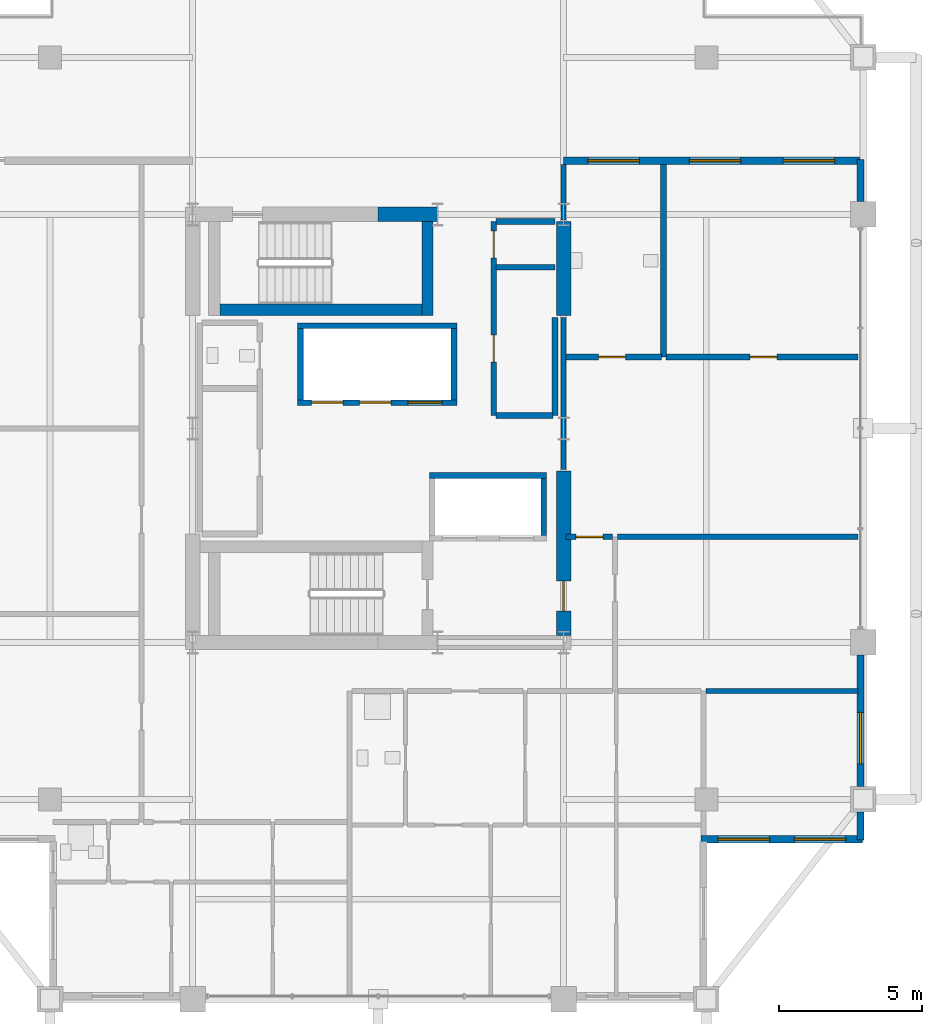
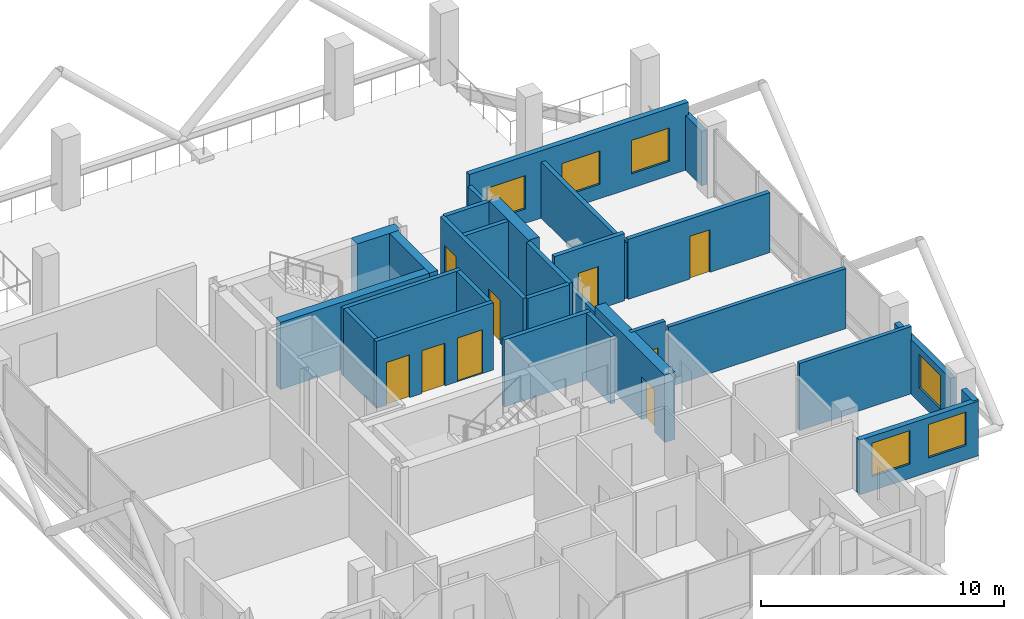
# One storey, part 17 of 21: 29 walls, 9 doors, 6 windows, 15 openings.
"""IFC4 building model written with IfcOpenShell, lengths in metres."""

import ifcopenshell
import ifcopenshell.guid

model = None  # the IFC model being written
_history = None  # IfcOwnerHistory: only IFC2X3 demands one
_inside = {}  # id of a spatial element -> (the spatial element, [elements in it])
_under = {}  # id of a project, library or spatial element -> (it, [spatial elements below it])
_declared = {}  # id of a project -> (the project, [libraries it declares])
_typed = {}  # id of a type object -> (the type object, [elements of that type])
_made_of = {}  # id of a material, layer set ... -> (it, [elements and type objects made of it])


def new_model(schema):
    """Start an empty IFC model of exactly this schema.

    Asked for "IFC4X3", IfcOpenShell would pick the latest addendum, in which some entities
    have other attributes; the version numbers below select the first issue.
    IFC2X3 requires an IfcOwnerHistory on every rooted entity: one is made here for all.
    """
    global model, _history
    if schema == "IFC4X3":
        model = ifcopenshell.file(schema_version=(4, 3, 0, 0))
    else:
        model = ifcopenshell.file(schema=schema)
    _inside.clear()
    _under.clear()
    _declared.clear()
    _typed.clear()
    _made_of.clear()
    _history = None
    if model.schema == "IFC2X3":
        org = make("IfcOrganization", Name="unknown")
        user = make(
            "IfcPersonAndOrganization",
            ThePerson=make("IfcPerson", FamilyName="unknown"),
            TheOrganization=org,
        )
        app = make(
            "IfcApplication",
            ApplicationDeveloper=org,
            Version="unknown",
            ApplicationFullName="unknown",
            ApplicationIdentifier="unknown",
        )
        _history = make(
            "IfcOwnerHistory",
            OwningUser=user,
            OwningApplication=app,
            ChangeAction="ADDED",
            CreationDate=0,
        )
    return model


def make(cls, **values):
    """One entity of the class cls with the attributes given. An attribute that is None is left unset."""
    return model.create_entity(
        cls, **{name: value for name, value in values.items() if value is not None}
    )


def rooted(cls, **values):
    """An entity with a GlobalId (a new one), such as an element, a storey or a relation."""
    return make(cls, GlobalId=ifcopenshell.guid.new(), OwnerHistory=_history, **values)


def si_unit(unit_type, name, prefix=None):
    """IfcSIUnit, for example si_unit("LENGTHUNIT", "METRE", prefix="MILLI")."""
    return make("IfcSIUnit", UnitType=unit_type, Prefix=prefix, Name=name)


def assignment(units):
    """IfcUnitAssignment: the units of a project."""
    return None if units is None else make("IfcUnitAssignment", Units=units)


def point(xyz):
    """IfcCartesianPoint."""
    return None if xyz is None else make("IfcCartesianPoint", Coordinates=xyz)


def direction(xyz):
    """IfcDirection."""
    return None if xyz is None else make("IfcDirection", DirectionRatios=xyz)


def frame(location, z_axis=None, x_axis=None):
    """IfcAxis2Placement3D, a coordinate frame: its origin and axes. An axis left out is left unset."""
    return make(
        "IfcAxis2Placement3D",
        Location=point(location),
        Axis=direction(z_axis),
        RefDirection=direction(x_axis),
    )


def frame_2d(location, x_axis=None):
    """IfcAxis2Placement2D, a coordinate frame in the plane: its origin and x axis."""
    return make(
        "IfcAxis2Placement2D", Location=point(location), RefDirection=direction(x_axis)
    )


def origin():
    """The frame at (0, 0, 0) with its axes left unset."""
    return frame((0.0, 0.0, 0.0))


def place(relative_to, where):
    """IfcLocalPlacement: puts the frame where relative to a parent placement (None: the world)."""
    return make(
        "IfcLocalPlacement", PlacementRelTo=relative_to, RelativePlacement=where
    )


def context(
    kind, dimensions, precision=None, world=None, true_north=None, identifier=None
):
    """IfcGeometricRepresentationContext, for example the 3D "Model" context."""
    return make(
        "IfcGeometricRepresentationContext",
        ContextIdentifier=identifier,
        ContextType=kind,
        CoordinateSpaceDimension=dimensions,
        Precision=precision,
        WorldCoordinateSystem=world,
        TrueNorth=true_north,
    )


def subcontext(parent, identifier, kind, view, scale=None):
    """IfcGeometricRepresentationSubContext, for example "Body" below "Model"."""
    return make(
        "IfcGeometricRepresentationSubContext",
        ContextIdentifier=identifier,
        ContextType=kind,
        ParentContext=parent,
        TargetScale=scale,
        TargetView=view,
    )


def project(units=None, contexts=None):
    """IfcProject with its units and contexts."""
    return rooted(
        "IfcProject",
        Name="project",
        RepresentationContexts=contexts,
        UnitsInContext=assignment(units),
    )


def spatial(cls, under=None, at=None, **own):
    """A site, building, storey or space (cls), placed at a placement, below another one or the project."""
    s = rooted(cls, ObjectPlacement=at, **own)
    if under is not None:
        _under.setdefault(under.id(), (under, []))[1].append(s)
    return s


def profile(cls, at=None, kind="AREA", **sizes):
    """A parametric profile (cls). Its sizes go by their IFC names, for example OverallWidth=200.0."""
    return make(cls, ProfileType=kind, Position=at, **sizes)


def rectangle(**sizes):
    """IfcRectangleProfileDef."""
    return profile("IfcRectangleProfileDef", **sizes)


def extrude(swept, where, along, depth):
    """IfcExtrudedAreaSolid: the profile swept, set in the frame where, extruded along a direction by depth."""
    return make(
        "IfcExtrudedAreaSolid",
        SweptArea=swept,
        Position=where,
        ExtrudedDirection=direction(along),
        Depth=depth,
    )


def shape(context_of_items, identifier, shape_type, items):
    """IfcShapeRepresentation: the items that make up one representation, for example the "Body"."""
    return make(
        "IfcShapeRepresentation",
        ContextOfItems=context_of_items,
        RepresentationIdentifier=identifier,
        RepresentationType=shape_type,
        Items=items,
    )


def material(Name=None, Category=None):
    """IfcMaterial."""
    return make("IfcMaterial", Name=Name, Category=Category)


def layer(
    of_material, thickness, ventilated=None, Name=None, Category=None, Priority=None
):
    """IfcMaterialLayer: one layer of a wall or slab, of a material (None: an air gap)."""
    return make(
        "IfcMaterialLayer",
        Material=of_material,
        LayerThickness=thickness,
        IsVentilated=ventilated,
        Name=Name,
        Category=Category,
        Priority=Priority,
    )


def layer_set(layers, Name=None):
    """IfcMaterialLayerSet."""
    return make("IfcMaterialLayerSet", MaterialLayers=layers, LayerSetName=Name)


def made_of(thing, what):
    """Note that an element or type object is made of a material, layer set ...; save() writes the relation."""
    if what is not None:
        _made_of.setdefault(what.id(), (what, []))[1].append(thing)
    return thing


def type_object(cls, material=None, **own):
    """A type object (cls), such as IfcWallType, which elements share."""
    return made_of(rooted(cls, **own), material)


def element(
    cls,
    number,
    at=None,
    inside=None,
    cuts=None,
    type_object=None,
    material=None,
    context=None,
    identifier="Body",
    shape_type=None,
    held_by="IfcProductDefinitionShape",
    body=None,
    shapes=None,
    **own,
):
    """One element of the class cls, such as IfcWall. Its Tag is "e" and its number.

    at: its placement. inside: the storey or other place that contains it. cuts: it is an
    opening in that element (IfcRelVoidsElement). A single representation is given by context,
    identifier, shape_type and body (its items); several are given by shapes. held_by: the class
    of the entity that holds the representations. save() writes the other relations.
    """
    e = rooted(cls, Tag="e%d" % number, ObjectPlacement=at, **own)
    if body is not None:
        shapes = [shape(context, identifier, shape_type, body)]
    if shapes is not None:
        e.Representation = make(held_by, Representations=shapes)
    if inside is not None:
        _inside.setdefault(inside.id(), (inside, []))[1].append(e)
    if cuts is not None:
        rooted(
            "IfcRelVoidsElement", RelatingBuildingElement=cuts, RelatedOpeningElement=e
        )
    if type_object is not None:
        _typed.setdefault(type_object.id(), (type_object, []))[1].append(e)
    return made_of(e, material)


def fill(opening, filler):
    """IfcRelFillsElement: the door or window that sits in an opening."""
    return rooted(
        "IfcRelFillsElement",
        RelatingOpeningElement=opening,
        RelatedBuildingElement=filler,
    )


def aggregate(whole, parts):
    """IfcRelAggregates: a whole, such as a stair, and the parts it consists of."""
    return rooted("IfcRelAggregates", RelatingObject=whole, RelatedObjects=parts)


def save(model, path):
    """Write the relations noted so far, then the file.

    IfcRelAggregates (storeys below a building ...), IfcRelContainedInSpatialStructure (elements
    in a storey), IfcRelDefinesByType, IfcRelAssociatesMaterial and IfcRelDeclares: one each for
    every whole, place, type object, material and project.
    """
    for whole, parts in _under.values():
        aggregate(whole, parts)
    for where, things in _inside.values():
        rooted(
            "IfcRelContainedInSpatialStructure",
            RelatedElements=things,
            RelatingStructure=where,
        )
    for kind, things in _typed.values():
        rooted("IfcRelDefinesByType", RelatedObjects=things, RelatingType=kind)
    for what, things in _made_of.values():
        rooted("IfcRelAssociatesMaterial", RelatedObjects=things, RelatingMaterial=what)
    for by, libraries in _declared.values():
        rooted("IfcRelDeclares", RelatingContext=by, RelatedDefinitions=libraries)
    model.write(path)


model = new_model("IFC4")

# Units and contexts
model_context = context("Model", 3, precision=1e-05, world=origin(), true_north=direction((0.0, 1.0)))
body_context = subcontext(model_context, "Body", "Model", "MODEL_VIEW")
ifc_project = project(units=[si_unit("LENGTHUNIT", "METRE"), si_unit("AREAUNIT", "SQUARE_METRE"), si_unit("VOLUMEUNIT", "CUBIC_METRE"), si_unit("PLANEANGLEUNIT", "RADIAN"), si_unit("MASSUNIT", "GRAM", prefix="KILO")], contexts=[model_context])

# Site, building, storey
site_placement = place(None, origin())
site = spatial("IfcSite", under=ifc_project, at=site_placement, CompositionType="ELEMENT")
building_placement = place(site_placement, origin())
building = spatial("IfcBuilding", under=site, at=building_placement, Name="Barlavira Tower and Art Museum", CompositionType="ELEMENT")
storey_placement = place(building_placement, frame((0.0, 0.0, 261.89990234375)))
storey = spatial("IfcBuildingStorey", under=building, at=storey_placement, Name="L68", CompositionType="ELEMENT", Elevation=261.89990234375)

# Wall
ifc_material_1 = material(Name="Concrete C60", Category="concrete")
ifc_layer_1 = layer(ifc_material_1, 0.5, Name="Concrete C60")
ifc_layer_set_1 = layer_set([ifc_layer_1], Name="Concrete C60")
wall_type_1 = type_object("IfcWallType", Name="Core Structural Shear Wall 500 Concrete C60", PredefinedType="SHEAR", material=ifc_layer_set_1)
wall_1_placement = place(storey_placement, frame((0.0, 7.5, 0.0), z_axis=(0.0, 0.0, 1.0), x_axis=(1.0, 0.0, 0.0)))
element("IfcWall", 1, at=wall_1_placement, inside=storey, type_object=wall_type_1, Name="L68 Core Shear Wall CS-EN", PredefinedType="SHEAR", context=body_context, shape_type="SweptSolid", body=[
    extrude(rectangle(XDim=2.080078125, YDim=0.5, at=frame_2d((1.0400390625, 0.0))), origin(), (0.0, 0.0, 1.0), 3.380126953125),
])

# Wall, opening, door
wall_2_placement = place(storey_placement, frame((6.5, -7.25, 0.0), z_axis=(0.0, 0.0, 1.0), x_axis=(0.0, 1.0, 0.0)))
wall_2 = element("IfcWall", 2, at=wall_2_placement, inside=storey, type_object=wall_type_1, Name="L68 Core Shear Wall CS-E1", PredefinedType="SHEAR", context=body_context, shape_type="SweptSolid", body=[
    extrude(rectangle(XDim=5.75, YDim=0.5, at=frame_2d((2.875, 0.0))), origin(), (0.0, 0.0, 1.0), 3.380126953125),
])
opening_1_placement = place(wall_2_placement, frame((0.85009765625, 0.0, 0.0)))
opening_1 = element("IfcOpeningElement", 3, at=opening_1_placement, cuts=wall_2, Name="Opening FD-90", PredefinedType="OPENING", context=body_context, shape_type="SweptSolid", body=[
    extrude(rectangle(XDim=1.050048828125, YDim=2.14990234375, at=frame_2d((0.52490234375, 1.074951171875))), frame((0.0, 0.260009765625, 0.0), z_axis=(0.0, -1.0, 0.0), x_axis=(1.0, 0.0, 0.0)), (0.0, 0.0, 1.0), 0.52001953125),
])
ifc_material_2 = material(Name="Brushed stainless steel", Category="steel")
door_type_1 = type_object("IfcDoorType", Name="Stair and Refuge Fire Door 1050x2150 FD90S", OperationType="NOTDEFINED", PredefinedType="DOOR", material=ifc_material_2)
door_1_placement = place(opening_1_placement, origin())
door_1 = element("IfcDoor", 4, at=door_1_placement, inside=storey, type_object=door_type_1, Name="L68 Firefighting Lobby Entry Fire Door", OperationType="SINGLE_SWING_LEFT", OverallHeight=2.14990234375, OverallWidth=1.050048828125, PredefinedType="DOOR", context=body_context, shape_type="SweptSolid", body=[
    extrude(rectangle(XDim=1.050048828125, YDim=2.14990234375, at=frame_2d((0.52490234375, 1.074951171875))), frame((0.0, 0.02490234375, 0.0), z_axis=(0.0, -1.0, 0.0), x_axis=(1.0, 0.0, 0.0)), (0.0, 0.0, 1.0), 0.050048828125),
])
fill(opening_1, door_1)

# Wall
wall_3_placement = place(storey_placement, frame((6.5, 3.949951171875, 0.0), z_axis=(0.0, 0.0, 1.0), x_axis=(0.0, 1.0, 0.0)))
element("IfcWall", 5, at=wall_3_placement, inside=storey, type_object=wall_type_1, Name="L68 Core Shear Wall CS-E2", PredefinedType="SHEAR", context=body_context, shape_type="SweptSolid", body=[
    extrude(rectangle(XDim=3.300048828125, YDim=0.5, at=frame_2d((1.64990234375, 0.0))), origin(), (0.0, 0.0, 1.0), 3.380126953125),
])

# Wall, openings, doors
ifc_material_3 = material(Name="Autoclaved aerated concrete masonry", Category="masonry")
ifc_layer_2 = layer(ifc_material_3, 0.199951171875, Name="Autoclaved aerated concrete masonry")
ifc_layer_set_2 = layer_set([ifc_layer_2], Name="Autoclaved aerated concrete masonry")
wall_type_2 = type_object("IfcWallType", Name="Fire Compartment and Shaft Wall 200", PredefinedType="SOLIDWALL", material=ifc_layer_set_2)
wall_4_placement = place(storey_placement, frame((-2.820068359375, 0.89990234375, 0.0), z_axis=(0.0, 0.0, 1.0), x_axis=(1.0, 0.0, 0.0)))
wall_4 = element("IfcWall", 6, at=wall_4_placement, inside=storey, type_object=wall_type_2, Name="L68 High-Rise & Service Lift Front Wall", PredefinedType="SOLIDWALL", context=body_context, shape_type="SweptSolid", body=[
    extrude(rectangle(XDim=5.580078125, YDim=0.199951171875, at=frame_2d((2.7900390625, 0.0))), origin(), (0.0, 0.0, 1.0), 3.380126953125),
])
opening_2_placement = place(wall_4_placement, frame((0.489990234375, 0.0, 0.0)))
opening_2 = element("IfcOpeningElement", 7, at=opening_2_placement, cuts=wall_4, Name="Opening LD-P", PredefinedType="OPENING", context=body_context, shape_type="SweptSolid", body=[
    extrude(rectangle(XDim=1.10009765625, YDim=2.14990234375, at=frame_2d((0.550048828125, 1.074951171875))), frame((0.0, 0.10986328125, 0.0), z_axis=(0.0, -1.0, 0.0), x_axis=(1.0, 0.0, 0.0)), (0.0, 0.0, 1.0), 0.219970703125),
])
opening_3_placement = place(wall_4_placement, frame((2.169921875, 0.0, 0.0)))
opening_3 = element("IfcOpeningElement", 8, at=opening_3_placement, cuts=wall_4, Name="Opening LD-P", PredefinedType="OPENING", context=body_context, shape_type="SweptSolid", body=[
    extrude(rectangle(XDim=1.10009765625, YDim=2.14990234375, at=frame_2d((0.550048828125, 1.074951171875))), frame((0.0, 0.10986328125, 0.0), z_axis=(0.0, -1.0, 0.0), x_axis=(1.0, 0.0, 0.0)), (0.0, 0.0, 1.0), 0.219970703125),
])
opening_4_placement = place(wall_4_placement, frame((3.860107421875, 0.0, 0.0)))
opening_4 = element("IfcOpeningElement", 9, at=opening_4_placement, cuts=wall_4, Name="Opening LD-F", PredefinedType="OPENING", context=body_context, shape_type="SweptSolid", body=[
    extrude(rectangle(XDim=1.199951171875, YDim=2.199951171875, at=frame_2d((0.60009765625, 1.10009765625))), frame((0.0, 0.10986328125, 0.0), z_axis=(0.0, -1.0, 0.0), x_axis=(1.0, 0.0, 0.0)), (0.0, 0.0, 1.0), 0.219970703125),
])
door_type_2 = type_object("IfcDoorType", Name="Firefighting and Service Lift Sliding Door 1200x2200 FD120", OperationType="NOTDEFINED", PredefinedType="DOOR", material=ifc_material_2)
door_2_placement = place(opening_4_placement, origin())
door_2 = element("IfcDoor", 10, at=door_2_placement, inside=storey, type_object=door_type_2, Name="L68 Stretcher Service Lift SL1 Sliding Door", OperationType="DOUBLE_DOOR_SLIDING", OverallHeight=2.199951171875, OverallWidth=1.199951171875, PredefinedType="DOOR", context=body_context, shape_type="SweptSolid", body=[
    extrude(rectangle(XDim=1.199951171875, YDim=2.199951171875, at=frame_2d((0.60009765625, 1.10009765625))), frame((0.0, 0.02490234375, 0.0), z_axis=(0.0, -1.0, 0.0), x_axis=(1.0, 0.0, 0.0)), (0.0, 0.0, 1.0), 0.050048828125),
])
fill(opening_4, door_2)
door_type_3 = type_object("IfcDoorType", Name="Passenger Lift Sliding Landing Door 1100x2150 FD60", OperationType="NOTDEFINED", PredefinedType="DOOR", material=ifc_material_2)
door_3_placement = place(opening_2_placement, origin())
door_3 = element("IfcDoor", 11, at=door_3_placement, inside=storey, type_object=door_type_3, Name="L68 Lift PH1 Sliding Landing Door", OperationType="DOUBLE_DOOR_SLIDING", OverallHeight=2.14990234375, OverallWidth=1.10009765625, PredefinedType="DOOR", context=body_context, shape_type="SweptSolid", body=[
    extrude(rectangle(XDim=1.10009765625, YDim=2.14990234375, at=frame_2d((0.550048828125, 1.074951171875))), frame((0.0, 0.02490234375, 0.0), z_axis=(0.0, -1.0, 0.0), x_axis=(1.0, 0.0, 0.0)), (0.0, 0.0, 1.0), 0.050048828125),
])
fill(opening_2, door_3)
door_4_placement = place(opening_3_placement, origin())
door_4 = element("IfcDoor", 12, at=door_4_placement, inside=storey, type_object=door_type_3, Name="L68 Lift PH2 Sliding Landing Door", OperationType="DOUBLE_DOOR_SLIDING", OverallHeight=2.14990234375, OverallWidth=1.10009765625, PredefinedType="DOOR", context=body_context, shape_type="SweptSolid", body=[
    extrude(rectangle(XDim=1.10009765625, YDim=2.14990234375, at=frame_2d((0.550048828125, 1.074951171875))), frame((0.0, 0.02490234375, 0.0), z_axis=(0.0, -1.0, 0.0), x_axis=(1.0, 0.0, 0.0)), (0.0, 0.0, 1.0), 0.050048828125),
])
fill(opening_3, door_4)

# Walls
wall_5_placement = place(storey_placement, frame((-2.820068359375, 3.60009765625, 0.0), z_axis=(0.0, 0.0, 1.0), x_axis=(1.0, 0.0, 0.0)))
element("IfcWall", 13, at=wall_5_placement, inside=storey, type_object=wall_type_2, Name="L68 High-Rise & Service Lift Back Wall", PredefinedType="SOLIDWALL", context=body_context, shape_type="SweptSolid", body=[
    extrude(rectangle(XDim=5.580078125, YDim=0.199951171875, at=frame_2d((2.7900390625, 0.0))), origin(), (0.0, 0.0, 1.0), 3.380126953125),
])
for number, where, z_axis, x_axis, name in (
    (14, (-2.719970703125, 1.0, 0.0), (0.0, 0.0, 1.0), (0.0, 1.0, 0.0), "L68 High-Rise & Service Lift West Wall"),
    (15, (2.659912109375, 1.0, 0.0), (0.0, 0.0, 1.0), (0.0, 1.0, 0.0), "L68 High-Rise & Service Lift East Wall"),
):
    element("IfcWall", number, at=place(storey_placement, frame(where, z_axis=z_axis, x_axis=x_axis)), inside=storey, type_object=wall_type_2, Name=name, PredefinedType="SOLIDWALL", context=body_context, shape_type="SweptSolid", body=[
        extrude(rectangle(XDim=2.5, YDim=0.199951171875, at=frame_2d((1.25, 0.0))), origin(), (0.0, 0.0, 1.0), 3.380126953125),
    ])
wall_6_placement = place(storey_placement, frame((1.800048828125, -1.64990234375, 0.0), z_axis=(0.0, 0.0, 1.0), x_axis=(1.0, 0.0, 0.0)))
element("IfcWall", 16, at=wall_6_placement, inside=storey, type_object=wall_type_2, Name="L68 Firefighting Lift Back Shaft Wall", PredefinedType="SOLIDWALL", context=body_context, shape_type="SweptSolid", body=[
    extrude(rectangle(XDim=4.099853515625, YDim=0.199951171875, at=frame_2d((2.0498046875, 0.0))), origin(), (0.0, 0.0, 1.0), 3.380126953125),
])
wall_7_placement = place(storey_placement, frame((5.800048828125, -3.75, 0.0), z_axis=(0.0, 0.0, 1.0), x_axis=(0.0, 1.0, 0.0)))
element("IfcWall", 17, at=wall_7_placement, inside=storey, type_object=wall_type_2, Name="L68 Firefighting Lift East Shaft Wall", PredefinedType="SOLIDWALL", context=body_context, shape_type="SweptSolid", body=[
    extrude(rectangle(XDim=2.0, YDim=0.199951171875, at=frame_2d((1.0, 0.0))), origin(), (0.0, 0.0, 1.0), 3.380126953125),
])

# Wall, openings, doors
wall_8_placement = place(storey_placement, frame((4.050048828125, 0.449951171875, 0.0), z_axis=(0.0, 0.0, 1.0), x_axis=(0.0, 1.0, 0.0)))
wall_8 = element("IfcWall", 18, at=wall_8_placement, inside=storey, type_object=wall_type_2, Name="L68 Partition Wall 10", PredefinedType="SOLIDWALL", context=body_context, shape_type="SweptSolid", body=[
    extrude(rectangle(XDim=6.800048828125, YDim=0.199951171875, at=frame_2d((3.39990234375, 0.0))), origin(), (0.0, 0.0, 1.0), 3.380126953125),
])
opening_5_placement = place(wall_8_placement, frame((1.875, 0.0, 0.0)))
opening_5 = element("IfcOpeningElement", 19, at=opening_5_placement, cuts=wall_8, Name="Opening FD-60", PredefinedType="OPENING", context=body_context, shape_type="SweptSolid", body=[
    extrude(rectangle(XDim=0.949951171875, YDim=2.14990234375, at=frame_2d((0.47509765625, 1.074951171875))), frame((0.0, 0.10986328125, 0.0), z_axis=(0.0, -1.0, 0.0), x_axis=(1.0, 0.0, 0.0)), (0.0, 0.0, 1.0), 0.219970703125),
])
opening_6_placement = place(wall_8_placement, frame((5.52490234375, 0.0, 0.0)))
opening_6 = element("IfcOpeningElement", 20, at=opening_6_placement, cuts=wall_8, Name="Opening FD-60", PredefinedType="OPENING", context=body_context, shape_type="SweptSolid", body=[
    extrude(rectangle(XDim=0.949951171875, YDim=2.14990234375, at=frame_2d((0.47509765625, 1.074951171875))), frame((0.0, 0.10986328125, 0.0), z_axis=(0.0, -1.0, 0.0), x_axis=(1.0, 0.0, 0.0)), (0.0, 0.0, 1.0), 0.219970703125),
])
door_type_4 = type_object("IfcDoorType", Name="Apartment Entrance and Riser Fire Door 950x2150 FD60S", OperationType="NOTDEFINED", PredefinedType="DOOR", material=ifc_material_2)
door_5_placement = place(opening_5_placement, origin())
door_5 = element("IfcDoor", 21, at=door_5_placement, inside=storey, type_object=door_type_4, Name="Reclaimed Upper Core Study Salon Door", OperationType="SINGLE_SWING_RIGHT", OverallHeight=2.14990234375, OverallWidth=0.949951171875, PredefinedType="DOOR", context=body_context, shape_type="SweptSolid", body=[
    extrude(rectangle(XDim=0.949951171875, YDim=2.14990234375, at=frame_2d((0.47509765625, 1.074951171875))), frame((0.0, 0.02490234375, 0.0), z_axis=(0.0, -1.0, 0.0), x_axis=(1.0, 0.0, 0.0)), (0.0, 0.0, 1.0), 0.050048828125),
])
fill(opening_5, door_5)
door_6_placement = place(opening_6_placement, origin())
door_6 = element("IfcDoor", 22, at=door_6_placement, inside=storey, type_object=door_type_4, Name="Telecom and BMS Distribution Room Door", OperationType="SINGLE_SWING_LEFT", OverallHeight=2.14990234375, OverallWidth=0.949951171875, PredefinedType="DOOR", context=body_context, shape_type="SweptSolid", body=[
    extrude(rectangle(XDim=0.949951171875, YDim=2.14990234375, at=frame_2d((0.47509765625, 1.074951171875))), frame((0.0, 0.02490234375, 0.0), z_axis=(0.0, -1.0, 0.0), x_axis=(1.0, 0.0, 0.0)), (0.0, 0.0, 1.0), 0.050048828125),
])
fill(opening_6, door_6)

# Walls
wall_9_placement = place(storey_placement, frame((6.199951171875, 0.449951171875, 0.0), z_axis=(0.0, 0.0, 1.0), x_axis=(0.0, 1.0, 0.0)))
element("IfcWall", 23, at=wall_9_placement, inside=storey, type_object=wall_type_2, Name="L68 Partition Wall 12", PredefinedType="SOLIDWALL", context=body_context, shape_type="SweptSolid", body=[
    extrude(rectangle(XDim=3.43994140625, YDim=0.199951171875, at=frame_2d((1.719970703125, 0.0))), origin(), (0.0, 0.0, 1.0), 3.380126953125),
])
wall_10_placement = place(storey_placement, frame((10.0, 2.5, 0.0), z_axis=(0.0, 0.0, 1.0), x_axis=(0.0, 1.0, 0.0)))
element("IfcWall", 24, at=wall_10_placement, inside=storey, type_object=wall_type_2, Name="L68 Partition Wall 17", PredefinedType="SOLIDWALL", context=body_context, shape_type="SweptSolid", body=[
    extrude(rectangle(XDim=6.75, YDim=0.199951171875, at=frame_2d((3.375, 0.0))), origin(), (0.0, 0.0, 1.0), 2.826171875),
])
wall_11_placement = place(storey_placement, frame((4.1298828125, 0.449951171875, 0.0), z_axis=(0.0, 0.0, 1.0), x_axis=(1.0, 0.0, 0.0)))
element("IfcWall", 25, at=wall_11_placement, inside=storey, type_object=wall_type_2, Name="L68 Partition Wall 42", PredefinedType="SOLIDWALL", context=body_context, shape_type="SweptSolid", body=[
    extrude(rectangle(XDim=1.990234375, YDim=0.199951171875, at=frame_2d((0.9951171875, 0.0))), origin(), (0.0, 0.0, 1.0), 3.380126953125),
])

# Wall, opening, door
wall_12_placement = place(storey_placement, frame((6.580078125, 2.5, 0.0), z_axis=(0.0, 0.0, 1.0), x_axis=(1.0, 0.0, 0.0)))
wall_12 = element("IfcWall", 26, at=wall_12_placement, inside=storey, type_object=wall_type_2, Name="L68 Partition Wall 44", PredefinedType="SOLIDWALL", context=body_context, shape_type="SweptSolid", body=[
    extrude(rectangle(XDim=3.33984375, YDim=0.199951171875, at=frame_2d((1.669921875, 0.0))), origin(), (0.0, 0.0, 1.0), 3.380126953125),
])
opening_7_placement = place(wall_12_placement, frame((1.14501953125, 0.0, 0.0)))
opening_7 = element("IfcOpeningElement", 27, at=opening_7_placement, cuts=wall_12, Name="Opening FD-60", PredefinedType="OPENING", context=body_context, shape_type="SweptSolid", body=[
    extrude(rectangle(XDim=0.949951171875, YDim=2.14990234375, at=frame_2d((0.47509765625, 1.074951171875))), frame((0.0, 0.10986328125, 0.0), z_axis=(0.0, -1.0, 0.0), x_axis=(1.0, 0.0, 0.0)), (0.0, 0.0, 1.0), 0.219970703125),
])
door_7_placement = place(opening_7_placement, origin())
door_7 = element("IfcDoor", 28, at=door_7_placement, inside=storey, type_object=door_type_4, Name="Wind-Portal Accessible Guest WC Door", OperationType="SINGLE_SWING_RIGHT", OverallHeight=2.14990234375, OverallWidth=0.949951171875, PredefinedType="DOOR", context=body_context, shape_type="SweptSolid", body=[
    extrude(rectangle(XDim=0.949951171875, YDim=2.14990234375, at=frame_2d((0.47509765625, 1.074951171875))), frame((0.0, 0.02490234375, 0.0), z_axis=(0.0, -1.0, 0.0), x_axis=(1.0, 0.0, 0.0)), (0.0, 0.0, 1.0), 0.050048828125),
])
fill(opening_7, door_7)

wall_13_placement = place(storey_placement, frame((10.080078125, 2.5, 0.0), z_axis=(0.0, 0.0, 1.0), x_axis=(1.0, 0.0, 0.0)))
wall_13 = element("IfcWall", 29, at=wall_13_placement, inside=storey, type_object=wall_type_2, Name="L68 Partition Wall 45", PredefinedType="SOLIDWALL", context=body_context, shape_type="SweptSolid", body=[
    extrude(rectangle(XDim=6.739990234375, YDim=0.199951171875, at=frame_2d((3.3701171875, 0.0))), origin(), (0.0, 0.0, 1.0), 3.01806640625),
])
opening_8_placement = place(wall_13_placement, frame((2.945068359375, 0.0, 0.0)))
opening_8 = element("IfcOpeningElement", 30, at=opening_8_placement, cuts=wall_13, Name="Opening FD-60", PredefinedType="OPENING", context=body_context, shape_type="SweptSolid", body=[
    extrude(rectangle(XDim=0.949951171875, YDim=2.14990234375, at=frame_2d((0.47509765625, 1.074951171875))), frame((0.0, 0.10986328125, 0.0), z_axis=(0.0, -1.0, 0.0), x_axis=(1.0, 0.0, 0.0)), (0.0, 0.0, 1.0), 0.219970703125),
])
door_8_placement = place(opening_8_placement, origin())
door_8 = element("IfcDoor", 31, at=door_8_placement, inside=storey, type_object=door_type_4, Name="Wind-Portal Terrace Furniture Store Door", OperationType="SINGLE_SWING_LEFT", OverallHeight=2.14990234375, OverallWidth=0.949951171875, PredefinedType="DOOR", context=body_context, shape_type="SweptSolid", body=[
    extrude(rectangle(XDim=0.949951171875, YDim=2.14990234375, at=frame_2d((0.47509765625, 1.074951171875))), frame((0.0, 0.02490234375, 0.0), z_axis=(0.0, -1.0, 0.0), x_axis=(1.0, 0.0, 0.0)), (0.0, 0.0, 1.0), 0.050048828125),
])
fill(opening_8, door_8)

# Walls
for number, where, z_axis, x_axis, name in (
    (32, (4.1298828125, 5.64990234375, 0.0), (0.0, 0.0, 1.0), (1.0, 0.0, 0.0), "L68 Partition Wall 47"),
    (33, (4.1298828125, 7.25, 0.0), (0.0, 0.0, 1.0), (1.0, 0.0, 0.0), "L68 Partition Wall 48"),
):
    element("IfcWall", number, at=place(storey_placement, frame(where, z_axis=z_axis, x_axis=x_axis)), inside=storey, type_object=wall_type_2, Name=name, PredefinedType="SOLIDWALL", context=body_context, shape_type="SweptSolid", body=[
        extrude(rectangle(XDim=2.070068359375, YDim=0.199951171875, at=frame_2d((1.03515625, 0.0))), origin(), (0.0, 0.0, 1.0), 3.380126953125),
    ])
ifc_material_4 = material(Name="Gypsum acoustic stud partition", Category="gypsum")
ifc_layer_3 = layer(ifc_material_4, 0.179931640625, Name="Gypsum acoustic stud partition")
ifc_layer_set_3 = layer_set([ifc_layer_3], Name="Gypsum acoustic stud partition")
wall_type_3 = type_object("IfcWallType", Name="Inter-Tenancy Party Partition Wall 180", PredefinedType="PARTITIONING", material=ifc_layer_set_3)
wall_14_placement = place(storey_placement, frame((6.5, -1.43994140625, 0.0), z_axis=(0.0, 0.0, 1.0), x_axis=(0.0, 1.0, 0.0)))
element("IfcWall", 34, at=wall_14_placement, inside=storey, type_object=wall_type_3, Name="L68 Partition Wall 13", PredefinedType="PARTITIONING", context=body_context, shape_type="SweptSolid", body=[
    extrude(rectangle(XDim=5.329833984375, YDim=0.179931640625, at=frame_2d((2.6650390625, 0.0))), origin(), (0.0, 0.0, 1.0), 2.826171875),
])
wall_15_placement = place(storey_placement, frame((6.5, 7.31005859375, 0.0), z_axis=(0.0, 0.0, 1.0), x_axis=(0.0, 1.0, 0.0)))
element("IfcWall", 35, at=wall_15_placement, inside=storey, type_object=wall_type_3, Name="L68 Partition Wall 14", PredefinedType="PARTITIONING", context=body_context, shape_type="SweptSolid", body=[
    extrude(rectangle(XDim=1.93994140625, YDim=0.179931640625, at=frame_2d((0.969970703125, 0.0))), origin(), (0.0, 0.0, 1.0), 2.826171875),
])
wall_16_placement = place(storey_placement, frame((11.47998046875, -9.199951171875, 0.0), z_axis=(0.0, 0.0, 1.0), x_axis=(1.0, 0.0, 0.0)))
element("IfcWall", 36, at=wall_16_placement, inside=storey, type_object=wall_type_3, Name="L68 Partition Wall 36", PredefinedType="PARTITIONING", context=body_context, shape_type="SweptSolid", body=[
    extrude(rectangle(XDim=5.340087890625, YDim=0.179931640625, at=frame_2d((2.669921875, 0.0))), origin(), (0.0, 0.0, 1.0), 3.380126953125),
])

# Wall, opening, door
wall_17_placement = place(storey_placement, frame((6.580078125, -3.800048828125, 0.0), z_axis=(0.0, 0.0, 1.0), x_axis=(1.0, 0.0, 0.0)))
wall_17 = element("IfcWall", 37, at=wall_17_placement, inside=storey, type_object=wall_type_3, Name="L68 Partition Wall 38", PredefinedType="PARTITIONING", context=body_context, shape_type="SweptSolid", body=[
    extrude(rectangle(XDim=1.639892578125, YDim=0.179931640625, at=frame_2d((0.81982421875, 0.0))), origin(), (0.0, 0.0, 1.0), 3.380126953125),
])
opening_9_placement = place(wall_17_placement, frame((0.344970703125, 0.0, 0.0)))
opening_9 = element("IfcOpeningElement", 38, at=opening_9_placement, cuts=wall_17, Name="Opening FD-60", PredefinedType="OPENING", context=body_context, shape_type="SweptSolid", body=[
    extrude(rectangle(XDim=0.949951171875, YDim=2.14990234375, at=frame_2d((0.47509765625, 1.074951171875))), frame((0.0, 0.10009765625, 0.0), z_axis=(0.0, -1.0, 0.0), x_axis=(1.0, 0.0, 0.0)), (0.0, 0.0, 1.0), 0.199951171875),
])
door_9_placement = place(opening_9_placement, origin())
door_9 = element("IfcDoor", 39, at=door_9_placement, inside=storey, type_object=door_type_4, Name="Shared Wind-Portal Catering Kitchen Door", OperationType="SINGLE_SWING_LEFT", OverallHeight=2.14990234375, OverallWidth=0.949951171875, PredefinedType="DOOR", context=body_context, shape_type="SweptSolid", body=[
    extrude(rectangle(XDim=0.949951171875, YDim=2.14990234375, at=frame_2d((0.47509765625, 1.074951171875))), frame((0.0, 0.02490234375, 0.0), z_axis=(0.0, -1.0, 0.0), x_axis=(1.0, 0.0, 0.0)), (0.0, 0.0, 1.0), 0.050048828125),
])
fill(opening_9, door_9)

# Walls
wall_18_placement = place(storey_placement, frame((8.3798828125, -3.800048828125, 0.0), z_axis=(0.0, 0.0, 1.0), x_axis=(1.0, 0.0, 0.0)))
element("IfcWall", 40, at=wall_18_placement, inside=storey, type_object=wall_type_3, Name="L68 Partition Wall 39", PredefinedType="PARTITIONING", context=body_context, shape_type="SweptSolid", body=[
    extrude(rectangle(XDim=8.440185546875, YDim=0.179931640625, at=frame_2d((4.22021484375, 0.0))), origin(), (0.0, 0.0, 1.0), 3.01806640625),
])
ifc_material_5 = material(Name="Precast concrete C40", Category="concrete")
ifc_layer_4 = layer(ifc_material_5, 0.25, Name="Precast concrete C40")
ifc_layer_set_4 = layer_set([ifc_layer_4], Name="Precast concrete C40")
wall_type_4 = type_object("IfcWallType", Name="Notched Corner Spandrel Wall 250 Precast Concrete C40", PredefinedType="SOLIDWALL", material=ifc_layer_set_4)
wall_19_placement = place(storey_placement, frame((16.89990234375, -14.425048828125, 0.0), z_axis=(0.0, 0.0, 1.0), x_axis=(0.0, 1.0, 0.0)))
element("IfcWall", 41, at=wall_19_placement, inside=storey, type_object=wall_type_4, Name="L68 Coastal Facade Pier Wall CW4-L68-E-1", PredefinedType="SOLIDWALL", context=body_context, shape_type="SweptSolid", body=[
    extrude(rectangle(XDim=0.97998046875, YDim=0.25, at=frame_2d((0.489990234375, 0.0))), origin(), (0.0, 0.0, 1.0), 2.748046875),
])

# Wall, opening, window
wall_20_placement = place(storey_placement, frame((16.89990234375, -12.554931640625, 0.0), z_axis=(0.0, 0.0, 1.0), x_axis=(0.0, 1.0, 0.0)))
wall_20 = element("IfcWall", 42, at=wall_20_placement, inside=storey, type_object=wall_type_4, Name="L68 Coastal Facade Pier Wall CW4-L68-E-2", PredefinedType="SOLIDWALL", context=body_context, shape_type="SweptSolid", body=[
    extrude(rectangle(XDim=4.60986328125, YDim=0.25, at=frame_2d((2.304931640625, 0.0))), origin(), (0.0, 0.0, 1.0), 2.748046875),
])
opening_10_placement = place(wall_20_placement, frame((0.800048828125, 0.0, 0.719970703125)))
opening_10 = element("IfcOpeningElement", 43, at=opening_10_placement, cuts=wall_20, Name="Opening WN-01", PredefinedType="OPENING", context=body_context, shape_type="SweptSolid", body=[
    extrude(rectangle(XDim=1.800048828125, YDim=1.679931640625, at=frame_2d((0.89990234375, 0.83984375))), frame((0.0, 0.135009765625, 0.0), z_axis=(0.0, -1.0, 0.0), x_axis=(1.0, 0.0, 0.0)), (0.0, 0.0, 1.0), 0.27001953125),
])
ifc_material_6 = material(Name="Low-iron coastal laminated glass", Category="glass")
window_type = type_object("IfcWindowType", Name="Recessed Notch Corner Punch Window 1800x1680", PartitioningType="SINGLE_PANEL", PredefinedType="WINDOW", material=ifc_material_6)
window_1_placement = place(opening_10_placement, origin())
window_1 = element("IfcWindow", 44, at=window_1_placement, inside=storey, type_object=window_type, Name="L68 Punched Facade Window EWP-CW4-L68-E-2-1", OverallHeight=1.679931640625, OverallWidth=1.800048828125, PartitioningType="SINGLE_PANEL", PredefinedType="WINDOW", context=body_context, shape_type="SweptSolid", body=[
    extrude(rectangle(XDim=1.800048828125, YDim=1.679931640625, at=frame_2d((0.89990234375, 0.83984375))), frame((0.0, 0.030029296875, 0.0), z_axis=(0.0, -1.0, 0.0), x_axis=(1.0, 0.0, 0.0)), (0.0, 0.0, 1.0), 0.06005859375),
])
fill(opening_10, window_1)

# Wall
wall_21_placement = place(storey_placement, frame((16.89990234375, 7.945068359375, 0.0), z_axis=(0.0, 0.0, 1.0), x_axis=(0.0, 1.0, 0.0)))
element("IfcWall", 45, at=wall_21_placement, inside=storey, type_object=wall_type_4, Name="L68 Coastal Facade Pier Wall CW4-L68-E-4", PredefinedType="SOLIDWALL", context=body_context, shape_type="SweptSolid", body=[
    extrude(rectangle(XDim=1.47998046875, YDim=0.25, at=frame_2d((0.739990234375, 0.0))), origin(), (0.0, 0.0, 1.0), 2.748046875),
])

# Wall, openings, windows
wall_22_placement = place(storey_placement, frame((6.5, 9.3798828125, 0.0), z_axis=(0.0, 0.0, 1.0), x_axis=(1.0, 0.0, 0.0)))
wall_22 = element("IfcWall", 46, at=wall_22_placement, inside=storey, type_object=wall_type_4, Name="L68 Wind Portal East Backdrop Wall", PredefinedType="SOLIDWALL", context=body_context, shape_type="SweptSolid", body=[
    extrude(rectangle(XDim=10.39990234375, YDim=0.25, at=frame_2d((5.199951171875, 0.0))), origin(), (0.0, 0.0, 1.0), 3.380126953125),
])
opening_11_placement = place(wall_22_placement, frame((0.85009765625, 0.0, 0.719970703125)))
opening_11 = element("IfcOpeningElement", 47, at=opening_11_placement, cuts=wall_22, Name="Opening WN-01", PredefinedType="OPENING", context=body_context, shape_type="SweptSolid", body=[
    extrude(rectangle(XDim=1.800048828125, YDim=1.679931640625, at=frame_2d((0.89990234375, 0.83984375))), frame((0.0, 0.135009765625, 0.0), z_axis=(0.0, -1.0, 0.0), x_axis=(1.0, 0.0, 0.0)), (0.0, 0.0, 1.0), 0.27001953125),
])
opening_12_placement = place(wall_22_placement, frame((4.405029296875, 0.0, 0.719970703125)))
opening_12 = element("IfcOpeningElement", 48, at=opening_12_placement, cuts=wall_22, Name="Opening WN-01", PredefinedType="OPENING", context=body_context, shape_type="SweptSolid", body=[
    extrude(rectangle(XDim=1.800048828125, YDim=1.679931640625, at=frame_2d((0.89990234375, 0.83984375))), frame((0.0, 0.135009765625, 0.0), z_axis=(0.0, -1.0, 0.0), x_axis=(1.0, 0.0, 0.0)), (0.0, 0.0, 1.0), 0.27001953125),
])
opening_13_placement = place(wall_22_placement, frame((7.695068359375, 0.0, 0.719970703125)))
opening_13 = element("IfcOpeningElement", 49, at=opening_13_placement, cuts=wall_22, Name="Opening WN-01", PredefinedType="OPENING", context=body_context, shape_type="SweptSolid", body=[
    extrude(rectangle(XDim=1.800048828125, YDim=1.679931640625, at=frame_2d((0.89990234375, 0.83984375))), frame((0.0, 0.135009765625, 0.0), z_axis=(0.0, -1.0, 0.0), x_axis=(1.0, 0.0, 0.0)), (0.0, 0.0, 1.0), 0.27001953125),
])
window_2_placement = place(opening_11_placement, origin())
window_2 = element("IfcWindow", 50, at=window_2_placement, inside=storey, type_object=window_type, Name="L68 Punched Facade Window EW-PORT-L68-E-1", OverallHeight=1.679931640625, OverallWidth=1.800048828125, PartitioningType="SINGLE_PANEL", PredefinedType="WINDOW", context=body_context, shape_type="SweptSolid", body=[
    extrude(rectangle(XDim=1.800048828125, YDim=1.679931640625, at=frame_2d((0.89990234375, 0.83984375))), frame((0.0, 0.030029296875, 0.0), z_axis=(0.0, -1.0, 0.0), x_axis=(1.0, 0.0, 0.0)), (0.0, 0.0, 1.0), 0.06005859375),
])
fill(opening_11, window_2)
window_3_placement = place(opening_12_placement, origin())
window_3 = element("IfcWindow", 51, at=window_3_placement, inside=storey, type_object=window_type, Name="L68 Punched Facade Window EW-PORT-L68-E-2", OverallHeight=1.679931640625, OverallWidth=1.800048828125, PartitioningType="SINGLE_PANEL", PredefinedType="WINDOW", context=body_context, shape_type="SweptSolid", body=[
    extrude(rectangle(XDim=1.800048828125, YDim=1.679931640625, at=frame_2d((0.89990234375, 0.83984375))), frame((0.0, 0.030029296875, 0.0), z_axis=(0.0, -1.0, 0.0), x_axis=(1.0, 0.0, 0.0)), (0.0, 0.0, 1.0), 0.06005859375),
])
fill(opening_12, window_3)
window_4_placement = place(opening_13_placement, origin())
window_4 = element("IfcWindow", 52, at=window_4_placement, inside=storey, type_object=window_type, Name="L68 Punched Facade Window EW-PORT-L68-E-3", OverallHeight=1.679931640625, OverallWidth=1.800048828125, PartitioningType="SINGLE_PANEL", PredefinedType="WINDOW", context=body_context, shape_type="SweptSolid", body=[
    extrude(rectangle(XDim=1.800048828125, YDim=1.679931640625, at=frame_2d((0.89990234375, 0.83984375))), frame((0.0, 0.030029296875, 0.0), z_axis=(0.0, -1.0, 0.0), x_axis=(1.0, 0.0, 0.0)), (0.0, 0.0, 1.0), 0.06005859375),
])
fill(opening_13, window_4)

wall_23_placement = place(storey_placement, frame((11.320068359375, -14.39990234375, 0.0), z_axis=(0.0, 0.0, 1.0), x_axis=(1.0, 0.0, 0.0)))
wall_23 = element("IfcWall", 53, at=wall_23_placement, inside=storey, type_object=wall_type_4, Name="L68 Notch Corner Wall SE2", PredefinedType="SOLIDWALL", context=body_context, shape_type="SweptSolid", body=[
    extrude(rectangle(XDim=5.659912109375, YDim=0.25, at=frame_2d((2.830078125, 0.0))), origin(), (0.0, 0.0, 1.0), 2.748046875),
])
opening_14_placement = place(wall_23_placement, frame((0.594970703125, 0.0, 0.719970703125)))
opening_14 = element("IfcOpeningElement", 54, at=opening_14_placement, cuts=wall_23, Name="Opening WN-01", PredefinedType="OPENING", context=body_context, shape_type="SweptSolid", body=[
    extrude(rectangle(XDim=1.800048828125, YDim=1.679931640625, at=frame_2d((0.89990234375, 0.83984375))), frame((0.0, 0.135009765625, 0.0), z_axis=(0.0, -1.0, 0.0), x_axis=(1.0, 0.0, 0.0)), (0.0, 0.0, 1.0), 0.27001953125),
])
opening_15_placement = place(wall_23_placement, frame((3.264892578125, 0.0, 0.719970703125)))
opening_15 = element("IfcOpeningElement", 55, at=opening_15_placement, cuts=wall_23, Name="Opening WN-01", PredefinedType="OPENING", context=body_context, shape_type="SweptSolid", body=[
    extrude(rectangle(XDim=1.800048828125, YDim=1.679931640625, at=frame_2d((0.89990234375, 0.83984375))), frame((0.0, 0.135009765625, 0.0), z_axis=(0.0, -1.0, 0.0), x_axis=(1.0, 0.0, 0.0)), (0.0, 0.0, 1.0), 0.27001953125),
])
window_5_placement = place(opening_14_placement, origin())
window_5 = element("IfcWindow", 56, at=window_5_placement, inside=storey, type_object=window_type, Name="L68 Punched Facade Window EW-NTC-L68-SE2-1", OverallHeight=1.679931640625, OverallWidth=1.800048828125, PartitioningType="SINGLE_PANEL", PredefinedType="WINDOW", context=body_context, shape_type="SweptSolid", body=[
    extrude(rectangle(XDim=1.800048828125, YDim=1.679931640625, at=frame_2d((0.89990234375, 0.83984375))), frame((0.0, 0.030029296875, 0.0), z_axis=(0.0, -1.0, 0.0), x_axis=(1.0, 0.0, 0.0)), (0.0, 0.0, 1.0), 0.06005859375),
])
fill(opening_14, window_5)
window_6_placement = place(opening_15_placement, origin())
window_6 = element("IfcWindow", 57, at=window_6_placement, inside=storey, type_object=window_type, Name="L68 Punched Facade Window EW-NTC-L68-SE2-2", OverallHeight=1.679931640625, OverallWidth=1.800048828125, PartitioningType="SINGLE_PANEL", PredefinedType="WINDOW", context=body_context, shape_type="SweptSolid", body=[
    extrude(rectangle(XDim=1.800048828125, YDim=1.679931640625, at=frame_2d((0.89990234375, 0.83984375))), frame((0.0, 0.030029296875, 0.0), z_axis=(0.0, -1.0, 0.0), x_axis=(1.0, 0.0, 0.0)), (0.0, 0.0, 1.0), 0.06005859375),
])
fill(opening_15, window_6)

# Walls
ifc_material_7 = material(Name="Concrete C55", Category="concrete")
ifc_layer_5 = layer(ifc_material_7, 0.39990234375, Name="Concrete C55")
ifc_layer_set_5 = layer_set([ifc_layer_5], Name="Concrete C55")
wall_type_5 = type_object("IfcWallType", Name="Upper Core Shear Wall 400 Concrete C55", PredefinedType="SHEAR", material=ifc_layer_set_5)
wall_24_placement = place(storey_placement, frame((-5.550048828125, 4.14990234375, 0.0), z_axis=(0.0, 0.0, 1.0), x_axis=(1.0, 0.0, 0.0)))
element("IfcWall", 58, at=wall_24_placement, inside=storey, type_object=wall_type_5, Name="L68 ST-T2 South Shaft Wall", PredefinedType="SHEAR", context=body_context, shape_type="SweptSolid", body=[
    extrude(rectangle(XDim=7.080078125, YDim=0.39990234375, at=frame_2d((3.5400390625, 0.0))), origin(), (0.0, 0.0, 1.0), 3.380126953125),
])
wall_25_placement = place(storey_placement, frame((1.72998046875, 3.949951171875, 0.0), z_axis=(0.0, 0.0, 1.0), x_axis=(0.0, 1.0, 0.0)))
element("IfcWall", 59, at=wall_25_placement, inside=storey, type_object=wall_type_5, Name="L68 ST-T2 East Half-Landing Wall", PredefinedType="SHEAR", context=body_context, shape_type="SweptSolid", body=[
    extrude(rectangle(XDim=3.300048828125, YDim=0.39990234375, at=frame_2d((1.64990234375, 0.0))), origin(), (0.0, 0.0, 1.0), 3.380126953125),
])

save(model, "model.ifc")
